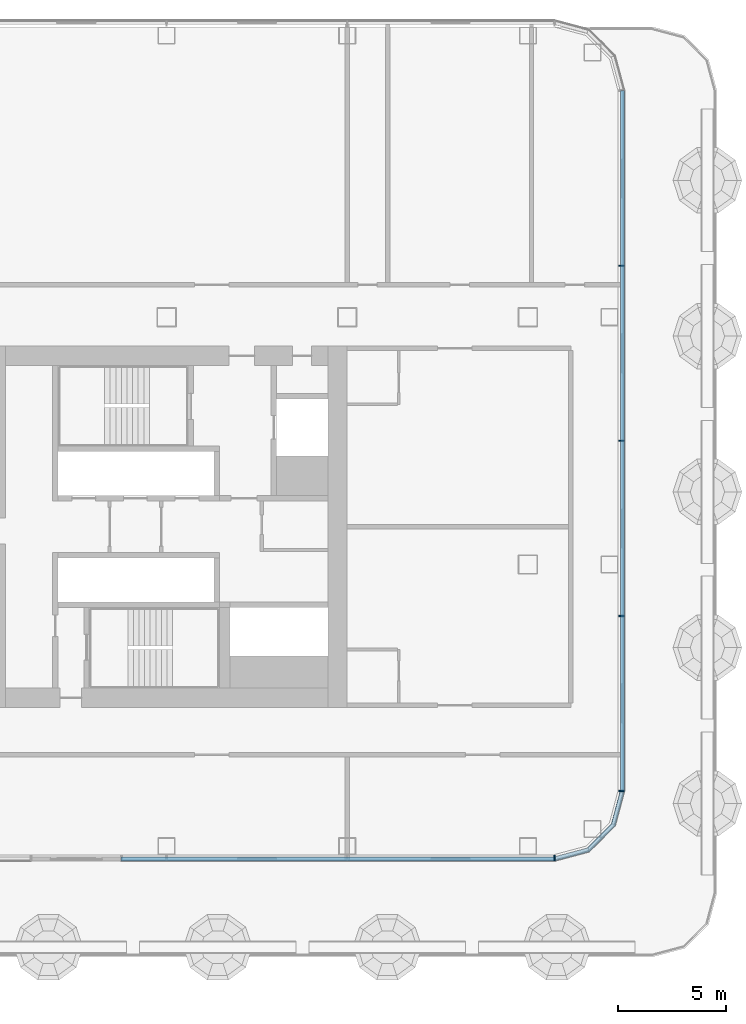
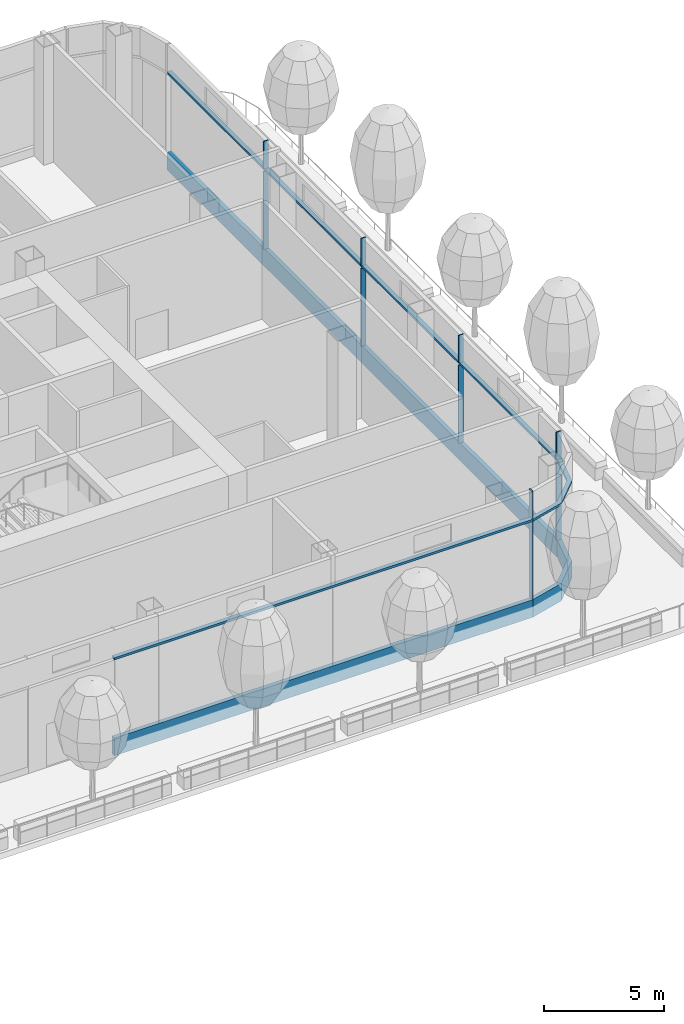
# One storey, part 9 of 44: 16 members, 3 elements without a shape of their own.
"""IFC4 building model written with IfcOpenShell, lengths in metres."""

from ifc_helpers import new_model, si_unit, direction, frame, origin, origin_2d, place, context, subcontext, project, spatial, polyline, rectangle, outline, extrude, material, layer, layer_set, material_profile, profile_set, type_object, element, aggregate, save


model = new_model("IFC4")

# Units and contexts
model_context = context("Model", 3, precision=1e-05, world=origin(), true_north=direction((0.0, 1.0)))
body_context = subcontext(model_context, "Body", "Model", "MODEL_VIEW")
ifc_project = project(units=[si_unit("LENGTHUNIT", "METRE"), si_unit("AREAUNIT", "SQUARE_METRE"), si_unit("VOLUMEUNIT", "CUBIC_METRE"), si_unit("PLANEANGLEUNIT", "RADIAN"), si_unit("MASSUNIT", "GRAM", prefix="KILO")], contexts=[model_context])

# Site, building, storey
site_placement = place(None, origin())
site = spatial("IfcSite", under=ifc_project, at=site_placement, CompositionType="ELEMENT")
building_placement = place(site_placement, origin())
building = spatial("IfcBuilding", under=site, at=building_placement, Name="Hakoniwa Tower and Hamabe Station Hall", CompositionType="ELEMENT")
storey_placement = place(building_placement, frame((0.0, 0.0, 69.0)))
storey = spatial("IfcBuildingStorey", under=building, at=storey_placement, Name="L19", CompositionType="ELEMENT", Elevation=69.0)

# Curtain wall, member
ifc_material_1 = material(Name="Dark low-e laminated glass", Category="glass")
ifc_layer = layer(ifc_material_1, 0.199951171875)
ifc_layer_set = layer_set([ifc_layer], Name="CW-2 SKY GARDEN")
curtain_wall_type = type_object("IfcCurtainWallType", Name="CW-2 SKY GARDEN", PredefinedType="NOTDEFINED", material=ifc_layer_set)
curtain_wall_1_placement = place(storey_placement, origin())
curtain_wall_1 = element("IfcCurtainWall", 1, at=curtain_wall_1_placement, inside=storey, type_object=curtain_wall_type, Name="CW-2 curtain wall", PredefinedType="NOTDEFINED")
ifc_material_2 = material(Name="Aluminium 6063-T5 black anodised", Category="aluminium")
ifc_material_profile_1 = material_profile(ifc_material_2, rectangle(XDim=0.199951171875, YDim=0.1201171875, at=origin_2d()), Name="CW MID TRANSOM 120X200")
ifc_profile_set_1 = profile_set([ifc_material_profile_1], Name="Aluminium 6063-T5 black anodised")
member_type_1 = type_object("IfcMemberType", Name="CW MID TRANSOM 120X200", PredefinedType="USERDEFINED", material=ifc_profile_set_1)
member_1_placement = place(storey_placement, frame((46.39990234375, -12.28955078125, 4.389892578125), z_axis=(0.0, 1.0, 0.0), x_axis=(-1.0, 0.0, 0.0)))
member_1 = element("IfcMember", 2, at=member_1_placement, type_object=member_type_1, Name="CW-2 transom", ObjectType="TRANSOM", PredefinedType="USERDEFINED", context=body_context, shape_type="SweptSolid", body=[
    extrude(rectangle(XDim=0.199951171875, YDim=0.1201171875, at=origin_2d()), origin(), (0.0, 0.0, 1.0), 32.5791015625),
])

curtain_wall_2_placement = place(storey_placement, origin())
curtain_wall_2 = element("IfcCurtainWall", 3, at=curtain_wall_2_placement, inside=storey, type_object=curtain_wall_type, Name="CW-2 curtain wall", PredefinedType="NOTDEFINED")
member_2_placement = place(storey_placement, frame((23.070068359375, -15.449951171875, 4.389892578125), z_axis=(1.0, 0.0, 0.0), x_axis=(0.0, 1.0, 0.0)))
member_2 = element("IfcMember", 4, at=member_2_placement, type_object=member_type_1, Name="CW-2 transom", ObjectType="TRANSOM", PredefinedType="USERDEFINED", context=body_context, shape_type="SweptSolid", body=[
    extrude(rectangle(XDim=0.199951171875, YDim=0.1201171875, at=origin_2d()), origin(), (0.0, 0.0, 1.0), 20.16943359375),
])

curtain_wall_3_placement = place(storey_placement, origin())
curtain_wall_3 = element("IfcCurtainWall", 5, at=curtain_wall_3_placement, inside=storey, type_object=curtain_wall_type, Name="CW-2 curtain wall", PredefinedType="NOTDEFINED")
member_3_placement = place(storey_placement, frame((0.0, 0.0, 4.330078125)))
member_3 = element("IfcMember", 6, at=member_3_placement, type_object=member_type_1, Name="CW-2 transom", ObjectType="TRANSOM", PredefinedType="USERDEFINED", context=body_context, shape_type="SweptSolid", body=[
    extrude(outline(polyline([(43.239501953125, -15.550048828125), (44.855224609375, -15.116943359375), (46.067138671875, -13.9052734375), (46.5, -12.28955078125), (46.306884765625, -12.23779296875), (45.8876953125, -13.8017578125), (44.751708984375, -14.937744140625), (43.187744140625, -15.35693359375), (43.239501953125, -15.550048828125)])), origin(), (0.0, 0.0, 1.0), 0.119873046875),
])

# Member
ifc_material_3 = material(Name="Aluminium 6063-T5 black anodised", Category="aluminium")
ifc_material_profile_2 = material_profile(ifc_material_3, rectangle(XDim=0.199951171875, YDim=0.89990234375, at=origin_2d()), Name="CW SLAB-EDGE BAND 900X200")
ifc_profile_set_2 = profile_set([ifc_material_profile_2], Name="Aluminium 6063-T5 black anodised")
member_type_2 = type_object("IfcMemberType", Name="CW SLAB-EDGE BAND 900X200", PredefinedType="USERDEFINED", material=ifc_profile_set_2)
member_4_placement = place(storey_placement, frame((46.39990234375, -12.28955078125, -0.10009765625), z_axis=(0.0, 1.0, 0.0), x_axis=(-1.0, 0.0, 0.0)))
member_4 = element("IfcMember", 7, at=member_4_placement, type_object=member_type_2, Name="CW-2 transom", ObjectType="TRANSOM", PredefinedType="USERDEFINED", context=body_context, shape_type="SweptSolid", body=[
    extrude(rectangle(XDim=0.199951171875, YDim=0.89990234375, at=origin_2d()), origin(), (0.0, 0.0, 1.0), 32.5791015625),
])

member_5_placement = place(storey_placement, frame((23.070068359375, -15.449951171875, -0.10009765625), z_axis=(1.0, 0.0, 0.0), x_axis=(0.0, 1.0, 0.0)))
member_5 = element("IfcMember", 8, at=member_5_placement, type_object=member_type_2, Name="CW-2 transom", ObjectType="TRANSOM", PredefinedType="USERDEFINED", context=body_context, shape_type="SweptSolid", body=[
    extrude(rectangle(XDim=0.199951171875, YDim=0.89990234375, at=origin_2d()), origin(), (0.0, 0.0, 1.0), 20.16943359375),
])

member_6_placement = place(storey_placement, frame((0.0, 0.0, -0.550048828125)))
member_6 = element("IfcMember", 9, at=member_6_placement, type_object=member_type_2, Name="CW-2 transom", ObjectType="TRANSOM", PredefinedType="USERDEFINED", context=body_context, shape_type="SweptSolid", body=[
    extrude(outline(polyline([(43.239501953125, -15.550048828125), (44.855224609375, -15.116943359375), (46.067138671875, -13.9052734375), (46.5, -12.28955078125), (46.306884765625, -12.23779296875), (45.8876953125, -13.8017578125), (44.751708984375, -14.937744140625), (43.187744140625, -15.35693359375), (43.239501953125, -15.550048828125)])), origin(), (0.0, 0.0, 1.0), 0.900146484375),
])

aggregate(curtain_wall_3, [member_6, member_3])

ifc_material_4 = material(Name="Aluminium 6063-T5 black anodised", Category="aluminium")
ifc_material_profile_3 = material_profile(ifc_material_4, rectangle(XDim=0.06005859375, YDim=0.239990234375, at=origin_2d()), Name="CW-2 MULLION 60X240")
ifc_profile_set_3 = profile_set([ifc_material_profile_3], Name="Aluminium 6063-T5 black anodised")
member_type_3 = type_object("IfcMemberType", Name="CW-2 MULLION 60X240", PredefinedType="MULLION", material=ifc_profile_set_3)
member_7_placement = place(storey_placement, frame((46.35205078125, -12.28955078125, 0.35009765625), z_axis=(0.0, 0.0, 1.0), x_axis=(0.0, 1.0, 0.0)))
member_7 = element("IfcMember", 10, at=member_7_placement, type_object=member_type_3, Name="CW-2 mullion", PredefinedType="MULLION", context=body_context, shape_type="SweptSolid", body=[
    extrude(rectangle(XDim=0.06005859375, YDim=0.239990234375, at=origin_2d()), origin(), (0.0, 0.0, 1.0), 3.97998046875),
])

member_8_placement = place(storey_placement, frame((46.35205078125, -12.28955078125, 4.449951171875), z_axis=(0.0, 0.0, 1.0), x_axis=(0.0, 1.0, 0.0)))
member_8 = element("IfcMember", 11, at=member_8_placement, type_object=member_type_3, Name="CW-2 mullion", PredefinedType="MULLION", context=body_context, shape_type="SweptSolid", body=[
    extrude(rectangle(XDim=0.06005859375, YDim=0.239990234375, at=origin_2d()), origin(), (0.0, 0.0, 1.0), 1.400146484375),
])

member_9_placement = place(storey_placement, frame((46.35205078125, -4.144775390625, 0.35009765625), z_axis=(0.0, 0.0, 1.0), x_axis=(0.0, 1.0, 0.0)))
member_9 = element("IfcMember", 12, at=member_9_placement, type_object=member_type_3, Name="CW-2 mullion", PredefinedType="MULLION", context=body_context, shape_type="SweptSolid", body=[
    extrude(rectangle(XDim=0.06005859375, YDim=0.239990234375, at=origin_2d()), origin(), (0.0, 0.0, 1.0), 3.97998046875),
])

member_10_placement = place(storey_placement, frame((46.35205078125, -4.144775390625, 4.449951171875), z_axis=(0.0, 0.0, 1.0), x_axis=(0.0, 1.0, 0.0)))
member_10 = element("IfcMember", 13, at=member_10_placement, type_object=member_type_3, Name="CW-2 mullion", PredefinedType="MULLION", context=body_context, shape_type="SweptSolid", body=[
    extrude(rectangle(XDim=0.06005859375, YDim=0.239990234375, at=origin_2d()), origin(), (0.0, 0.0, 1.0), 1.400146484375),
])

member_11_placement = place(storey_placement, frame((46.35205078125, 4.0, 0.35009765625), z_axis=(0.0, 0.0, 1.0), x_axis=(0.0, 1.0, 0.0)))
member_11 = element("IfcMember", 14, at=member_11_placement, type_object=member_type_3, Name="CW-2 mullion", PredefinedType="MULLION", context=body_context, shape_type="SweptSolid", body=[
    extrude(rectangle(XDim=0.06005859375, YDim=0.239990234375, at=origin_2d()), origin(), (0.0, 0.0, 1.0), 3.97998046875),
])

member_12_placement = place(storey_placement, frame((46.35205078125, 4.0, 4.449951171875), z_axis=(0.0, 0.0, 1.0), x_axis=(0.0, 1.0, 0.0)))
member_12 = element("IfcMember", 15, at=member_12_placement, type_object=member_type_3, Name="CW-2 mullion", PredefinedType="MULLION", context=body_context, shape_type="SweptSolid", body=[
    extrude(rectangle(XDim=0.06005859375, YDim=0.239990234375, at=origin_2d()), origin(), (0.0, 0.0, 1.0), 1.400146484375),
])

member_13_placement = place(storey_placement, frame((46.35205078125, 12.144775390625, 0.35009765625), z_axis=(0.0, 0.0, 1.0), x_axis=(0.0, 1.0, 0.0)))
member_13 = element("IfcMember", 16, at=member_13_placement, type_object=member_type_3, Name="CW-2 mullion", PredefinedType="MULLION", context=body_context, shape_type="SweptSolid", body=[
    extrude(rectangle(XDim=0.06005859375, YDim=0.239990234375, at=origin_2d()), origin(), (0.0, 0.0, 1.0), 3.97998046875),
])

member_14_placement = place(storey_placement, frame((46.35205078125, 12.144775390625, 4.449951171875), z_axis=(0.0, 0.0, 1.0), x_axis=(0.0, 1.0, 0.0)))
member_14 = element("IfcMember", 17, at=member_14_placement, type_object=member_type_3, Name="CW-2 mullion", PredefinedType="MULLION", context=body_context, shape_type="SweptSolid", body=[
    extrude(rectangle(XDim=0.06005859375, YDim=0.239990234375, at=origin_2d()), origin(), (0.0, 0.0, 1.0), 1.400146484375),
])

aggregate(curtain_wall_1, [member_7, member_8, member_9, member_10, member_11, member_12, member_13, member_14, member_4, member_1])

member_15_placement = place(storey_placement, frame((43.239501953125, -15.402099609375, 0.35009765625), z_axis=(0.0, 0.0, 1.0), x_axis=(1.0, 0.0, 0.0)))
member_15 = element("IfcMember", 18, at=member_15_placement, type_object=member_type_3, Name="CW-2 mullion", PredefinedType="MULLION", context=body_context, shape_type="SweptSolid", body=[
    extrude(rectangle(XDim=0.06005859375, YDim=0.239990234375, at=origin_2d()), origin(), (0.0, 0.0, 1.0), 3.97998046875),
])

member_16_placement = place(storey_placement, frame((43.239501953125, -15.402099609375, 4.449951171875), z_axis=(0.0, 0.0, 1.0), x_axis=(1.0, 0.0, 0.0)))
member_16 = element("IfcMember", 19, at=member_16_placement, type_object=member_type_3, Name="CW-2 mullion", PredefinedType="MULLION", context=body_context, shape_type="SweptSolid", body=[
    extrude(rectangle(XDim=0.06005859375, YDim=0.239990234375, at=origin_2d()), origin(), (0.0, 0.0, 1.0), 1.400146484375),
])

aggregate(curtain_wall_2, [member_15, member_16, member_5, member_2])

save(model, "model.ifc")
